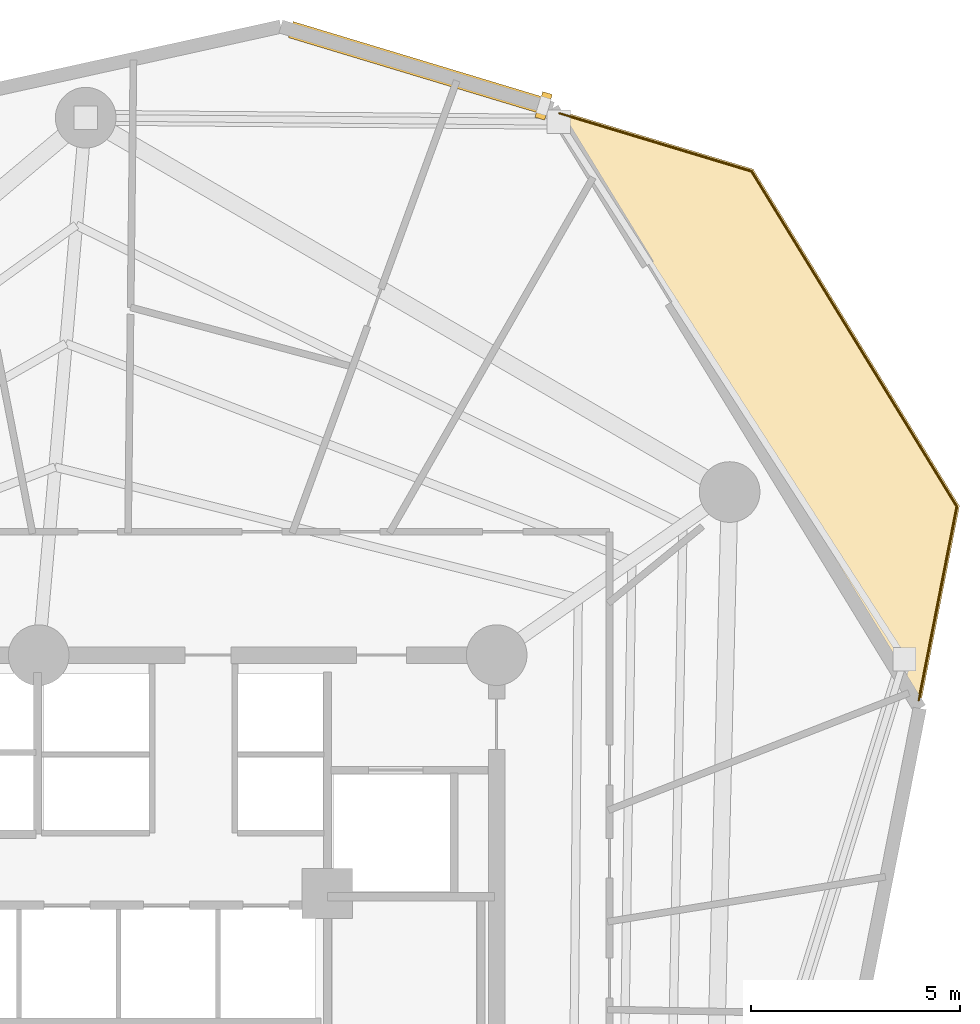
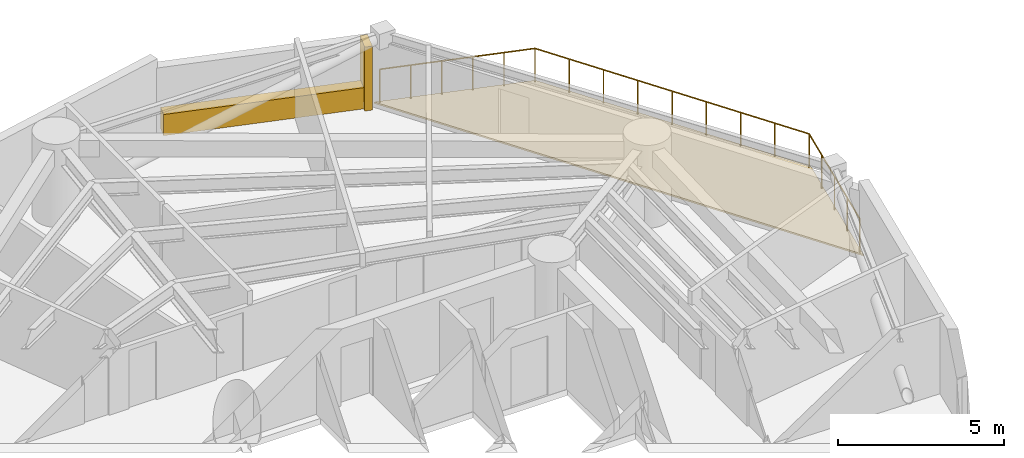
# One storey, part 9 of 9: 3 railings, 2 coverings, 1 shading device.
"""IFC4 building model written with IfcOpenShell, lengths in metres."""

from ifc_helpers import new_model, si_unit, direction, frame, origin, origin_with_axes, origin_2d, place, context, subcontext, project, spatial, polyline, rectangle, circle, outline, extrude, source, transform, mapped, material, layer, layer_set, type_object, element, save


model = new_model("IFC4")

# Units and contexts
model_context = context("Model", 3, precision=1e-05, world=origin(), true_north=direction((0.0, 1.0)))
body_context = subcontext(model_context, "Body", "Model", "MODEL_VIEW")
ifc_project = project(units=[si_unit("LENGTHUNIT", "METRE"), si_unit("AREAUNIT", "SQUARE_METRE"), si_unit("VOLUMEUNIT", "CUBIC_METRE"), si_unit("PLANEANGLEUNIT", "RADIAN"), si_unit("MASSUNIT", "GRAM", prefix="KILO")], contexts=[model_context])

# Site, building, storey
site_placement = place(None, origin())
site = spatial("IfcSite", under=ifc_project, at=site_placement, CompositionType="ELEMENT")
building_placement = place(site_placement, origin())
building = spatial("IfcBuilding", under=site, at=building_placement, Name="Karkom Vertical University and Central Library", CompositionType="ELEMENT")
storey_placement = place(building_placement, frame((0.0, 0.0, 129.75)))
storey = spatial("IfcBuildingStorey", under=building, at=storey_placement, Name="L36", CompositionType="ELEMENT", Elevation=129.75)

# Covering
ifc_material_1 = material(Name="EPDM membrane with Kota stone ballast roofing", Category="masonry")
ifc_layer_1 = layer(ifc_material_1, 0.080078125)
ifc_layer_set_1 = layer_set([ifc_layer_1], Name="EPDM membrane with Kota stone ballast roofing")
covering_type_1 = type_object("IfcCoveringType", Name="ENV-COV-ROOF", PredefinedType="ROOFING", material=ifc_layer_set_1)
covering_1_placement = place(storey_placement, origin())
element("IfcCovering", 1, at=covering_1_placement, inside=storey, type_object=covering_type_1, Name="Level 36 Spiral Sky Garden Waterproofing Covering", PredefinedType="ROOFING", context=body_context, shape_type="SweptSolid", body=[
    extrude(outline(polyline([(43.634033203125, 46.32080078125), (48.56591796875, 38.264404296875), (47.62109375, 33.4541015625), (38.86279296875, 47.76123046875), (43.634033203125, 46.32080078125)])), origin(), (0.0, 0.0, 1.0), 0.06005859375),
])

# Railings
ifc_material_2 = material(Name="Architectural painted steel & laminated glass balustrade", Category="steel")
ifc_layer_2 = layer(ifc_material_2, 0.090087890625)
ifc_layer_set_2 = layer_set([ifc_layer_2], Name="Architectural painted steel & laminated glass balustrade")
railing_type = type_object("IfcRailingType", Name="ENV-RL-BAL1300", PredefinedType="BALUSTRADE", material=ifc_layer_set_2)
railing_1_placement = place(storey_placement, frame((43.594970703125, 46.27001953125, 0.0)))
element("IfcRailing", 2, at=railing_1_placement, inside=storey, type_object=railing_type, Name="Level 36 Planted Terrace Safety Balustrade 01", PredefinedType="BALUSTRADE", context=body_context, shape_type="SweptSolid", body=[
    extrude(circle(Radius=0.02392578125, at=origin_2d()), frame((0.0, 0.0, 1.27587890625), z_axis=(0.522099112538, -0.852884820293, 0.0), x_axis=(0.852884820293, 0.522099112538, 0.0)), (0.0, 0.0, 1.0), 9.39990234375),
    extrude(circle(Radius=0.02099609375, at=origin_2d()), origin(), (0.0, 0.0, 1.0), 1.251953125),
    extrude(circle(Radius=0.02099609375, at=origin_2d()), frame((0.613525390625, -1.002197265625, 0.0)), (0.0, 0.0, 1.0), 1.251953125),
    extrude(circle(Radius=0.02099609375, at=origin_2d()), frame((1.22705078125, -2.00439453125, 0.0)), (0.0, 0.0, 1.0), 1.251953125),
    extrude(circle(Radius=0.02099609375, at=origin_2d()), frame((1.84033203125, -3.00634765625, 0.0)), (0.0, 0.0, 1.0), 1.251953125),
    extrude(circle(Radius=0.02099609375, at=origin_2d()), frame((2.453857421875, -4.008544921875, 0.0)), (0.0, 0.0, 1.0), 1.251953125),
    extrude(circle(Radius=0.02099609375, at=origin_2d()), frame((3.0673828125, -5.0107421875, 0.0)), (0.0, 0.0, 1.0), 1.251953125),
    extrude(circle(Radius=0.02099609375, at=origin_2d()), frame((3.6806640625, -6.0126953125, 0.0)), (0.0, 0.0, 1.0), 1.251953125),
    extrude(circle(Radius=0.02099609375, at=origin_2d()), frame((4.294189453125, -7.014892578125, 0.0)), (0.0, 0.0, 1.0), 1.251953125),
    extrude(circle(Radius=0.02099609375, at=origin_2d()), frame((4.90771484375, -8.01708984375, 0.0)), (0.0, 0.0, 1.0), 1.251953125),
])
railing_2_placement = place(storey_placement, frame((48.502685546875, 38.2529296875, 0.0)))
element("IfcRailing", 3, at=railing_2_placement, inside=storey, type_object=railing_type, Name="Level 36 Planted Terrace Safety Balustrade 02", PredefinedType="BALUSTRADE", context=body_context, shape_type="SweptSolid", body=[
    extrude(circle(Radius=0.02392578125, at=origin_2d()), frame((0.0, 0.0, 1.27587890625), z_axis=(-0.192786171426, -0.981240792113, 0.0), x_axis=(0.981240792113, -0.192786171426, 0.0)), (0.0, 0.0, 1.0), 4.724853515625),
    extrude(circle(Radius=0.02099609375, at=origin_2d()), origin(), (0.0, 0.0, 1.0), 1.251953125),
    extrude(circle(Radius=0.02099609375, at=origin_2d()), frame((-0.227783203125, -1.1591796875, 0.0)), (0.0, 0.0, 1.0), 1.251953125),
    extrude(circle(Radius=0.02099609375, at=origin_2d()), frame((-0.45556640625, -2.318115234375, 0.0)), (0.0, 0.0, 1.0), 1.251953125),
    extrude(circle(Radius=0.02099609375, at=origin_2d()), frame((-0.68310546875, -3.47705078125, 0.0)), (0.0, 0.0, 1.0), 1.251953125),
    extrude(circle(Radius=0.02099609375, at=origin_2d()), frame((-0.910888671875, -4.63623046875, 0.0)), (0.0, 0.0, 1.0), 1.251953125),
])
railing_3_placement = place(storey_placement, frame((38.996337890625, 47.658203125, 0.0)))
element("IfcRailing", 4, at=railing_3_placement, inside=storey, type_object=railing_type, Name="Level 36 Planted Terrace Safety Balustrade 03", PredefinedType="BALUSTRADE", context=body_context, shape_type="SweptSolid", body=[
    extrude(circle(Radius=0.02392578125, at=origin_2d()), frame((0.0, 0.0, 1.27587890625), z_axis=(0.957332486346, -0.288988772423, 0.0), x_axis=(0.288988772423, 0.957332486346, 0.0)), (0.0, 0.0, 1.0), 4.8037109375),
    extrude(circle(Radius=0.02099609375, at=origin_2d()), origin(), (0.0, 0.0, 1.0), 1.251953125),
    extrude(circle(Radius=0.02099609375, at=origin_2d()), frame((0.919677734375, -0.277587890625, 0.0)), (0.0, 0.0, 1.0), 1.251953125),
    extrude(circle(Radius=0.02099609375, at=origin_2d()), frame((1.83935546875, -0.55517578125, 0.0)), (0.0, 0.0, 1.0), 1.251953125),
    extrude(circle(Radius=0.02099609375, at=origin_2d()), frame((2.75927734375, -0.8330078125, 0.0)), (0.0, 0.0, 1.0), 1.251953125),
    extrude(circle(Radius=0.02099609375, at=origin_2d()), frame((3.678955078125, -1.110595703125, 0.0)), (0.0, 0.0, 1.0), 1.251953125),
    extrude(circle(Radius=0.02099609375, at=origin_2d()), frame((4.5986328125, -1.38818359375, 0.0)), (0.0, 0.0, 1.0), 1.251953125),
])

# Shading device
ifc_material_3 = material(Name="Terracotta-clad precast concrete sun-breaker fin C45/55", Category="masonry")
shading_device_type = type_object("IfcShadingDeviceType", Name="ENV-SHD-BRISE", PredefinedType="USERDEFINED", material=ifc_material_3)
shared_shape_1 = source(origin_with_axes(), body_context, "Body", "SweptSolid", [
    extrude(rectangle(XDim=0.239990234375, YDim=0.639892578125, at=origin_2d()), origin(), (0.0, 0.0, 1.0), 2.35009765625),
])
shading_device_placement = place(storey_placement, frame((38.62353515625, 47.83349609375, 0.0), z_axis=(0.0, 0.0, 1.0), x_axis=(-0.957319497532, 0.289031796944, 0.0)))
element("IfcShadingDevice", 5, at=shading_device_placement, inside=storey, type_object=shading_device_type, Name="Level 36 Brutalist Brise-Soleil Fin 09", ObjectType="BRISE SOLEIL", PredefinedType="USERDEFINED", context=body_context, shape_type="MappedRepresentation", body=[
    mapped(shared_shape_1, transform((0.0, 0.0, 0.0), scale=1.0)),
])

# Covering
ifc_material_4 = material(Name="Hand-pressed red-ochre terracotta brick slip cladding", Category="masonry")
ifc_layer_3 = layer(ifc_material_4, 0.090087890625)
ifc_layer_set_3 = layer_set([ifc_layer_3], Name="Hand-pressed red-ochre terracotta brick slip cladding")
covering_type_2 = type_object("IfcCoveringType", Name="ENV-COV-CLAD", PredefinedType="CLADDING", material=ifc_layer_set_3)
shared_shape_2 = source(origin_with_axes(), body_context, "Body", "SweptSolid", [
    extrude(rectangle(XDim=6.283935546875, YDim=0.39990234375, at=origin_2d()), origin(), (0.0, 0.0, 1.0), 0.780029296875),
])
covering_2_placement = place(storey_placement, frame((35.586669921875, 48.750244140625, 0.0), z_axis=(0.0, 0.0, 1.0), x_axis=(-0.957319497532, 0.289031796944, 0.0)))
element("IfcCovering", 6, at=covering_2_placement, inside=storey, type_object=covering_type_2, Name="Level 36 Terracotta Spandrel Cladding 09", PredefinedType="CLADDING", context=body_context, shape_type="MappedRepresentation", body=[
    mapped(shared_shape_2, transform((0.0, 0.0, 0.0), scale=1.0)),
])

save(model, "model.ifc")
